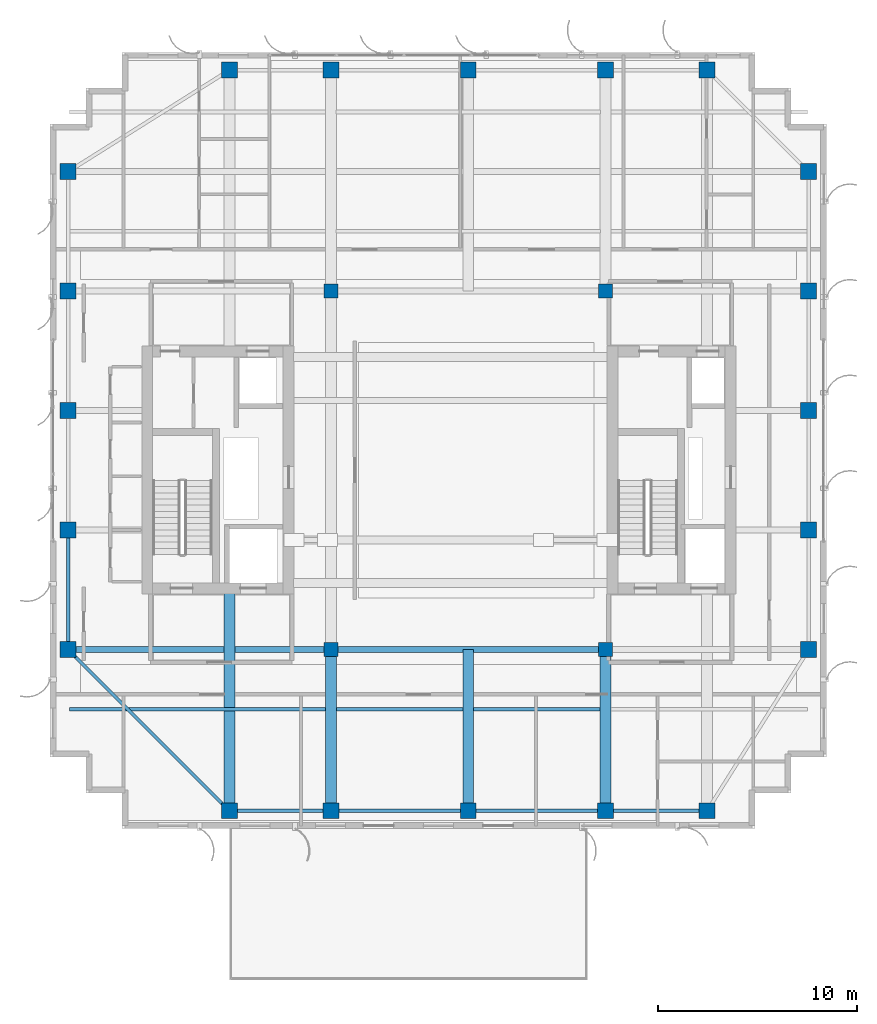
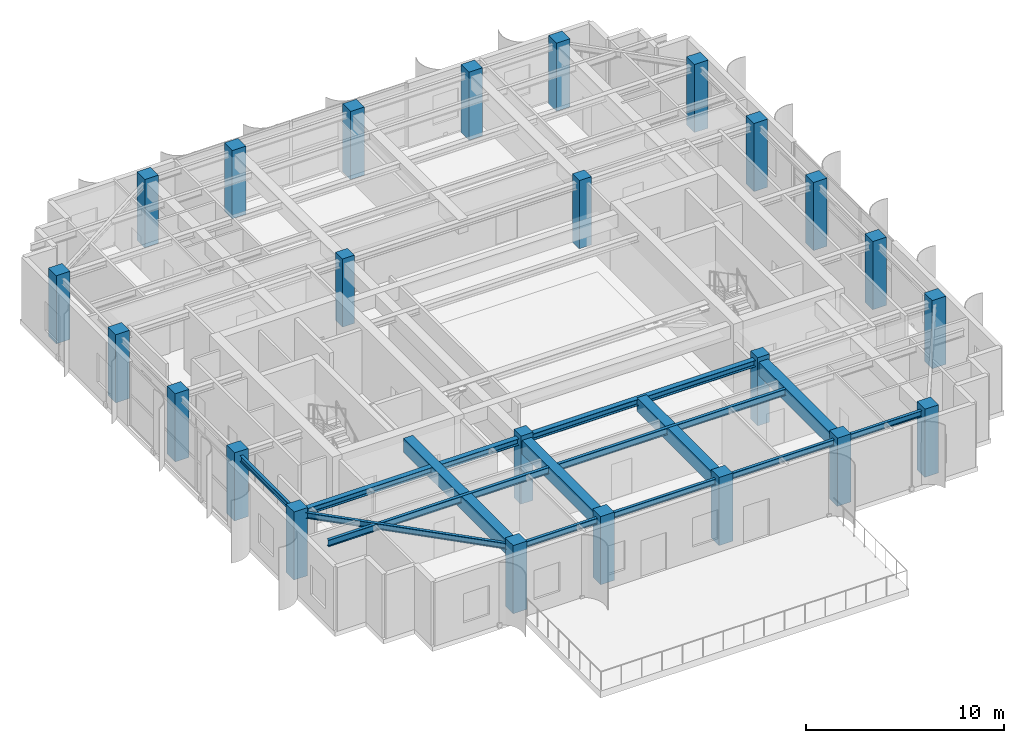
# One storey, part 1 of 19: 24 columns, 14 beams.
"""IFC4 building model written with IfcOpenShell, lengths in metres."""

from ifc_helpers import new_model, si_unit, direction, frame, origin, origin_2d, place, context, subcontext, project, spatial, rectangle, i_section, extrude, source, transform, mapped, material, material_profile, profile_set, type_object, element, save


model = new_model("IFC4")

# Units and contexts
model_context = context("Model", 3, precision=1e-05, world=origin(), true_north=direction((0.0, 1.0)))
body_context = subcontext(model_context, "Body", "Model", "MODEL_VIEW")
ifc_project = project(units=[si_unit("LENGTHUNIT", "METRE"), si_unit("AREAUNIT", "SQUARE_METRE"), si_unit("VOLUMEUNIT", "CUBIC_METRE"), si_unit("PLANEANGLEUNIT", "RADIAN"), si_unit("MASSUNIT", "GRAM", prefix="KILO")], contexts=[model_context])

# Site, building, storey
site_placement = place(None, origin())
site = spatial("IfcSite", under=ifc_project, at=site_placement, CompositionType="ELEMENT")
building_placement = place(site_placement, origin())
building = spatial("IfcBuilding", under=site, at=building_placement, Name="Khoralis Quay Care Tower", CompositionType="ELEMENT")
storey_placement = place(building_placement, frame((0.0, 0.0, 285.300048828125)))
storey = spatial("IfcBuildingStorey", under=building, at=storey_placement, Name="L75", CompositionType="ELEMENT", Elevation=285.300048828125)

# Columns
ifc_material_1 = material(Name="Concrete C50/60", Category="concrete")
ifc_material_profile_1 = material_profile(ifc_material_1, rectangle(XDim=0.800048828125, YDim=0.800048828125, at=origin_2d()), Name="Concrete C50/60")
ifc_profile_set_1 = profile_set([ifc_material_profile_1], Name="Concrete C50/60")
column_type_1 = type_object("IfcColumnType", Name="COL-C800", PredefinedType="COLUMN", material=ifc_profile_set_1)
shared_shape_1 = source(origin(), body_context, "Body", "SweptSolid", [
    extrude(rectangle(XDim=0.800048828125, YDim=0.800048828125, at=origin_2d()), origin(), (0.0, 0.0, 1.0), 4.199951171875),
])
for number, where, z_axis, x_axis, name in (
    (1, (12.0, 3.89990234375, 0.0), (0.0, 0.0, 1.0), (1.0, 0.0, 0.0), "COL-TWR-L75-01"),
    (2, (12.0, 41.10009765625, 0.0), (0.0, 0.0, 1.0), (1.0, 0.0, 0.0), "COL-TWR-L75-02"),
    (3, (17.10009765625, 3.89990234375, 0.0), (0.0, 0.0, 1.0), (1.0, 0.0, 0.0), "COL-TWR-L75-03"),
    (4, (17.10009765625, 41.10009765625, 0.0), (0.0, 0.0, 1.0), (1.0, 0.0, 0.0), "COL-TWR-L75-04"),
    (5, (24.0, 3.89990234375, 0.0), (0.0, 0.0, 1.0), (1.0, 0.0, 0.0), "COL-TWR-L75-05"),
    (6, (24.0, 41.10009765625, 0.0), (0.0, 0.0, 1.0), (1.0, 0.0, 0.0), "COL-TWR-L75-06"),
    (7, (30.89990234375, 3.89990234375, 0.0), (0.0, 0.0, 1.0), (1.0, 0.0, 0.0), "COL-TWR-L75-07"),
    (8, (30.89990234375, 41.10009765625, 0.0), (0.0, 0.0, 1.0), (1.0, 0.0, 0.0), "COL-TWR-L75-08"),
    (9, (36.0, 3.89990234375, 0.0), (0.0, 0.0, 1.0), (1.0, 0.0, 0.0), "COL-TWR-L75-09"),
    (10, (36.0, 41.10009765625, 0.0), (0.0, 0.0, 1.0), (1.0, 0.0, 0.0), "COL-TWR-L75-10"),
    (11, (3.89990234375, 12.0, 0.0), (0.0, 0.0, 1.0), (1.0, 0.0, 0.0), "COL-TWR-L75-11"),
    (12, (41.10009765625, 12.0, 0.0), (0.0, 0.0, 1.0), (1.0, 0.0, 0.0), "COL-TWR-L75-12"),
    (13, (3.89990234375, 18.0, 0.0), (0.0, 0.0, 1.0), (1.0, 0.0, 0.0), "COL-TWR-L75-13"),
    (14, (41.10009765625, 18.0, 0.0), (0.0, 0.0, 1.0), (1.0, 0.0, 0.0), "COL-TWR-L75-14"),
    (15, (3.89990234375, 24.0, 0.0), (0.0, 0.0, 1.0), (1.0, 0.0, 0.0), "COL-TWR-L75-15"),
    (16, (41.10009765625, 24.0, 0.0), (0.0, 0.0, 1.0), (1.0, 0.0, 0.0), "COL-TWR-L75-16"),
    (17, (3.89990234375, 30.0, 0.0), (0.0, 0.0, 1.0), (1.0, 0.0, 0.0), "COL-TWR-L75-17"),
    (18, (41.10009765625, 30.0, 0.0), (0.0, 0.0, 1.0), (1.0, 0.0, 0.0), "COL-TWR-L75-18"),
    (19, (3.89990234375, 36.0, 0.0), (0.0, 0.0, 1.0), (1.0, 0.0, 0.0), "COL-TWR-L75-19"),
    (20, (41.10009765625, 36.0, 0.0), (0.0, 0.0, 1.0), (1.0, 0.0, 0.0), "COL-TWR-L75-20"),
):
    element("IfcColumn", number, at=place(storey_placement, frame(where, z_axis=z_axis, x_axis=x_axis)), inside=storey, type_object=column_type_1, Name=name, PredefinedType="COLUMN", context=body_context, shape_type="MappedRepresentation", body=[
        mapped(shared_shape_1, transform((0.0, 0.0, 0.0), scale=1.0)),
    ])
ifc_material_profile_2 = material_profile(ifc_material_1, rectangle(XDim=0.699951171875, YDim=0.699951171875, at=origin_2d()), Name="Concrete C50/60")
ifc_profile_set_2 = profile_set([ifc_material_profile_2], Name="Concrete C50/60")
column_type_2 = type_object("IfcColumnType", Name="COL-C700", PredefinedType="COLUMN", material=ifc_profile_set_2)
shared_shape_2 = source(origin(), body_context, "Body", "SweptSolid", [
    extrude(rectangle(XDim=0.699951171875, YDim=0.699951171875, at=origin_2d()), origin(), (0.0, 0.0, 1.0), 4.199951171875),
])
for number, where, z_axis, x_axis, name in (
    (21, (17.10009765625, 12.0, 0.0), (0.0, 0.0, 1.0), (1.0, 0.0, 0.0), "COL-TWR-L75-21"),
    (22, (17.10009765625, 30.0, 0.0), (0.0, 0.0, 1.0), (1.0, 0.0, 0.0), "COL-TWR-L75-22"),
    (23, (30.89990234375, 12.0, 0.0), (0.0, 0.0, 1.0), (1.0, 0.0, 0.0), "COL-TWR-L75-23"),
    (24, (30.89990234375, 30.0, 0.0), (0.0, 0.0, 1.0), (1.0, 0.0, 0.0), "COL-TWR-L75-24"),
):
    element("IfcColumn", number, at=place(storey_placement, frame(where, z_axis=z_axis, x_axis=x_axis)), inside=storey, type_object=column_type_2, Name=name, PredefinedType="COLUMN", context=body_context, shape_type="MappedRepresentation", body=[
        mapped(shared_shape_2, transform((0.0, 0.0, 0.0), scale=1.0)),
    ])

# Beams
ifc_material_2 = material(Name="Steel S355", Category="steel")
ifc_material_profile_3 = material_profile(ifc_material_2, i_section(OverallWidth=0.169921875, OverallDepth=0.360107421875, WebThickness=0.008056640625, FlangeThickness=0.0126953125, FilletRadius=0.01806640625, at=origin_2d()), Name="Steel S355")
ifc_profile_set_3 = profile_set([ifc_material_profile_3], Name="Steel S355")
beam_type_1 = type_object("IfcBeamType", Name="BM-IPE360", PredefinedType="SPANDREL", material=ifc_profile_set_3)
shared_shape_3 = source(origin(), body_context, "Body", "SweptSolid", [
    extrude(i_section(OverallWidth=0.169921875, OverallDepth=0.360107421875, WebThickness=0.008056640625, FlangeThickness=0.0126953125, FilletRadius=0.01806640625, at=origin_2d()), origin(), (0.0, 0.0, 1.0), 5.10009765625),
])
for number, where, z_axis, x_axis, name in (
    (25, (12.0, 3.89990234375, 3.739990234375), (1.0, 0.0, 0.0), (0.0, 1.0, 0.0), "BM-TSP-L75-01"),
    (26, (30.89990234375, 3.89990234375, 3.739990234375), (1.0, 0.0, 0.0), (0.0, 1.0, 0.0), "BM-TSP-L75-04"),
):
    element("IfcBeam", number, at=place(storey_placement, frame(where, z_axis=z_axis, x_axis=x_axis)), inside=storey, type_object=beam_type_1, Name=name, PredefinedType="SPANDREL", context=body_context, shape_type="MappedRepresentation", body=[
        mapped(shared_shape_3, transform((0.0, 0.0, 0.0), scale=1.0)),
    ])
shared_shape_4 = source(origin(), body_context, "Body", "SweptSolid", [
    extrude(i_section(OverallWidth=0.169921875, OverallDepth=0.360107421875, WebThickness=0.008056640625, FlangeThickness=0.0126953125, FilletRadius=0.01806640625, at=origin_2d()), origin(), (0.0, 0.0, 1.0), 6.0),
])
beam_1_placement = place(storey_placement, frame((3.89990234375, 12.0, 3.739990234375), z_axis=(0.0, 1.0, 0.0), x_axis=(-1.0, 0.0, 0.0)))
element("IfcBeam", 27, at=beam_1_placement, inside=storey, type_object=beam_type_1, Name="BM-TSP-L75-09", PredefinedType="SPANDREL", context=body_context, shape_type="MappedRepresentation", body=[
    mapped(shared_shape_4, transform((0.0, 0.0, 0.0), scale=1.0)),
])
shared_shape_5 = source(origin(), body_context, "Body", "SweptSolid", [
    extrude(i_section(OverallWidth=0.169921875, OverallDepth=0.360107421875, WebThickness=0.008056640625, FlangeThickness=0.0126953125, FilletRadius=0.01806640625, at=origin_2d()), origin(), (0.0, 0.0, 1.0), 11.455322265625),
])
beam_2_placement = place(storey_placement, frame((12.0, 3.89990234375, 3.739990234375), z_axis=(-0.707106781187, 0.707106781187, 0.0), x_axis=(-0.707106781187, -0.707106781187, 0.0)))
element("IfcBeam", 28, at=beam_2_placement, inside=storey, type_object=beam_type_1, Name="BM-TCR-L75-17", PredefinedType="SPANDREL", context=body_context, shape_type="MappedRepresentation", body=[
    mapped(shared_shape_5, transform((0.0, 0.0, 0.0), scale=1.0)),
])
ifc_material_profile_4 = material_profile(ifc_material_2, i_section(OverallWidth=0.300048828125, OverallDepth=0.39990234375, WebThickness=0.013427734375, FlangeThickness=0.02392578125, FilletRadius=0.027099609375, at=origin_2d()), Name="Steel S355")
ifc_profile_set_4 = profile_set([ifc_material_profile_4], Name="Steel S355")
beam_type_2 = type_object("IfcBeamType", Name="BM-HEB400", PredefinedType="BEAM", material=ifc_profile_set_4)
shared_shape_6 = source(origin(), body_context, "Body", "SweptSolid", [
    extrude(i_section(OverallWidth=0.300048828125, OverallDepth=0.39990234375, WebThickness=0.013427734375, FlangeThickness=0.02392578125, FilletRadius=0.027099609375, at=origin_2d()), origin(), (0.0, 0.0, 1.0), 13.2001953125),
])
beam_3_placement = place(storey_placement, frame((3.89990234375, 12.0, 3.719970703125), z_axis=(1.0, 0.0, 0.0), x_axis=(0.0, 1.0, 0.0)))
element("IfcBeam", 29, at=beam_3_placement, inside=storey, type_object=beam_type_2, Name="BM-TGXW-L75-120", PredefinedType="BEAM", context=body_context, shape_type="MappedRepresentation", body=[
    mapped(shared_shape_6, transform((0.0, 0.0, 0.0), scale=1.0)),
])
ifc_material_profile_5 = material_profile(ifc_material_1, rectangle(XDim=0.550048828125, YDim=0.85009765625, at=origin_2d()), Name="Concrete C50/60")
ifc_profile_set_5 = profile_set([ifc_material_profile_5], Name="Concrete C50/60")
beam_type_3 = type_object("IfcBeamType", Name="BM-RC550X850", PredefinedType="BEAM", material=ifc_profile_set_5)
shared_shape_7 = source(origin(), body_context, "Body", "SweptSolid", [
    extrude(rectangle(XDim=0.550048828125, YDim=0.85009765625, at=origin_2d()), origin(), (0.0, 0.0, 1.0), 10.902099609375),
])
beam_4_placement = place(storey_placement, frame((12.0, 3.89990234375, 3.494873046875), z_axis=(0.0, 1.0, 0.0), x_axis=(-1.0, 0.0, 0.0)))
element("IfcBeam", 30, at=beam_4_placement, inside=storey, type_object=beam_type_3, Name="BM-TGYS-L75-120", PredefinedType="BEAM", context=body_context, shape_type="MappedRepresentation", body=[
    mapped(shared_shape_7, transform((0.0, 0.0, 0.0), scale=1.0)),
])
shared_shape_8 = source(origin(), body_context, "Body", "SweptSolid", [
    extrude(rectangle(XDim=0.550048828125, YDim=0.85009765625, at=origin_2d()), origin(), (0.0, 0.0, 1.0), 8.10009765625),
])
for number, where, z_axis, x_axis, name in (
    (31, (17.10009765625, 3.89990234375, 3.494873046875), (0.0, 1.0, 0.0), (-1.0, 0.0, 0.0), "BM-TGYS-L75-171"),
    (32, (24.0, 3.89990234375, 3.494873046875), (0.0, 1.0, 0.0), (-1.0, 0.0, 0.0), "BM-TGYS-L75-240"),
    (33, (30.89990234375, 3.89990234375, 3.494873046875), (0.0, 1.0, 0.0), (-1.0, 0.0, 0.0), "BM-TGYS-L75-309"),
):
    element("IfcBeam", number, at=place(storey_placement, frame(where, z_axis=z_axis, x_axis=x_axis)), inside=storey, type_object=beam_type_3, Name=name, PredefinedType="BEAM", context=body_context, shape_type="MappedRepresentation", body=[
        mapped(shared_shape_8, transform((0.0, 0.0, 0.0), scale=1.0)),
    ])
ifc_material_profile_6 = material_profile(ifc_material_2, i_section(OverallWidth=0.177978515625, OverallDepth=0.406982421875, WebThickness=0.0078125, FlangeThickness=0.0126953125, FilletRadius=0.012939453125, at=origin_2d()), Name="Steel S355")
ifc_profile_set_6 = profile_set([ifc_material_profile_6], Name="Steel S355")
beam_type_4 = type_object("IfcBeamType", Name="BM-W410X60", PredefinedType="JOIST", material=ifc_profile_set_6)
shared_shape_9 = source(origin(), body_context, "Body", "SweptSolid", [
    extrude(i_section(OverallWidth=0.177978515625, OverallDepth=0.406982421875, WebThickness=0.0078125, FlangeThickness=0.0126953125, FilletRadius=0.012939453125, at=origin_2d()), origin(), (0.0, 0.0, 1.0), 12.865966796875),
])
beam_5_placement = place(storey_placement, frame((3.970947265625, 9.0, 3.716552734375), z_axis=(1.0, 0.0, 0.0), x_axis=(0.0, 1.0, 0.0)))
element("IfcBeam", 34, at=beam_5_placement, inside=storey, type_object=beam_type_4, Name="BM-TJS-L75-21", PredefinedType="JOIST", context=body_context, shape_type="MappedRepresentation", body=[
    mapped(shared_shape_9, transform((0.0, 0.0, 0.0), scale=1.0)),
])
shared_shape_10 = source(origin(), body_context, "Body", "SweptSolid", [
    extrude(i_section(OverallWidth=0.169921875, OverallDepth=0.360107421875, WebThickness=0.008056640625, FlangeThickness=0.0126953125, FilletRadius=0.01806640625, at=origin_2d()), origin(), (0.0, 0.0, 1.0), 6.89990234375),
])
for number, where, z_axis, x_axis, name in (
    (35, (17.10009765625, 3.89990234375, 3.739990234375), (1.0, 0.0, 0.0), (0.0, 1.0, 0.0), "BM-TSP-L75-02"),
    (36, (24.0, 3.89990234375, 3.739990234375), (1.0, 0.0, 0.0), (0.0, 1.0, 0.0), "BM-TSP-L75-03"),
):
    element("IfcBeam", number, at=place(storey_placement, frame(where, z_axis=z_axis, x_axis=x_axis)), inside=storey, type_object=beam_type_1, Name=name, PredefinedType="SPANDREL", context=body_context, shape_type="MappedRepresentation", body=[
        mapped(shared_shape_10, transform((0.0, 0.0, 0.0), scale=1.0)),
    ])
shared_shape_11 = source(origin(), body_context, "Body", "SweptSolid", [
    extrude(i_section(OverallWidth=0.300048828125, OverallDepth=0.39990234375, WebThickness=0.013427734375, FlangeThickness=0.02392578125, FilletRadius=0.027099609375, at=origin_2d()), origin(), (0.0, 0.0, 1.0), 13.7998046875),
])
beam_6_placement = place(storey_placement, frame((17.10009765625, 12.0, 3.719970703125), z_axis=(1.0, 0.0, 0.0), x_axis=(0.0, 1.0, 0.0)))
element("IfcBeam", 37, at=beam_6_placement, inside=storey, type_object=beam_type_2, Name="BM-TGCC-L75-120", PredefinedType="BEAM", context=body_context, shape_type="MappedRepresentation", body=[
    mapped(shared_shape_11, transform((0.0, 0.0, 0.0), scale=1.0)),
])
shared_shape_12 = source(origin(), body_context, "Body", "SweptSolid", [
    extrude(i_section(OverallWidth=0.177978515625, OverallDepth=0.406982421875, WebThickness=0.0078125, FlangeThickness=0.0126953125, FilletRadius=0.012939453125, at=origin_2d()), origin(), (0.0, 0.0, 1.0), 13.27392578125),
])
beam_7_placement = place(storey_placement, frame((17.363037109375, 9.0, 3.716552734375), z_axis=(1.0, 0.0, 0.0), x_axis=(0.0, 1.0, 0.0)))
element("IfcBeam", 38, at=beam_7_placement, inside=storey, type_object=beam_type_4, Name="BM-TJS-L75-23", PredefinedType="JOIST", context=body_context, shape_type="MappedRepresentation", body=[
    mapped(shared_shape_12, transform((0.0, 0.0, 0.0), scale=1.0)),
])

save(model, "model.ifc")
